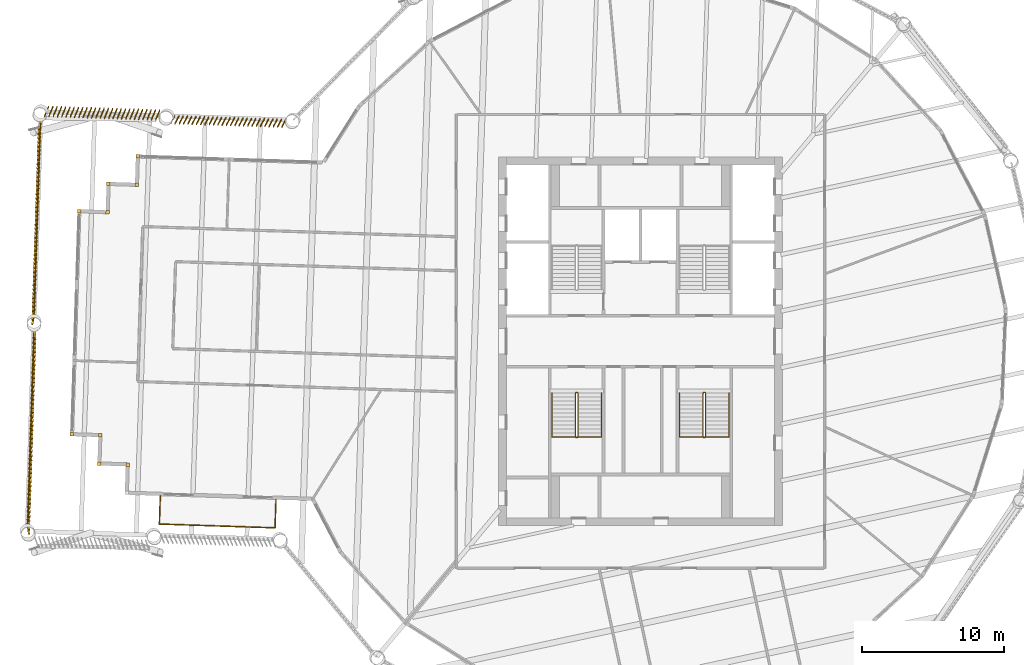
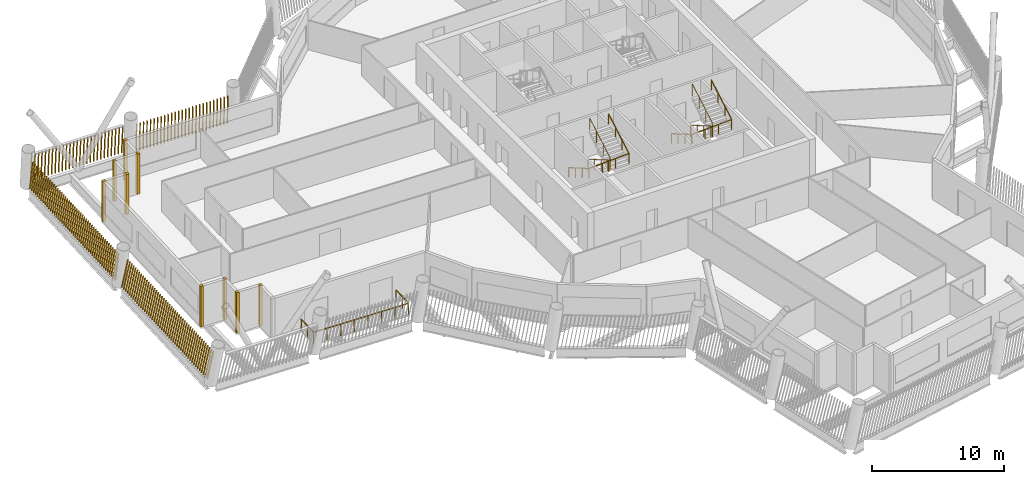
# One storey, part 18 of 21: 13 shading devices, 5 railings.
"""IFC4 building model written with IfcOpenShell, lengths in metres."""

from ifc_helpers import new_model, si_unit, direction, frame, frame_2d, origin, origin_2d, place, context, subcontext, project, spatial, rectangle, circle, composite_profile, extrude, material, type_object, element, save


model = new_model("IFC4")

# Units and contexts
model_context = context("Model", 3, precision=1e-05, world=origin(), true_north=direction((0.0, 1.0)))
body_context = subcontext(model_context, "Body", "Model", "MODEL_VIEW")
ifc_project = project(units=[si_unit("LENGTHUNIT", "METRE"), si_unit("AREAUNIT", "SQUARE_METRE"), si_unit("VOLUMEUNIT", "CUBIC_METRE"), si_unit("PLANEANGLEUNIT", "RADIAN"), si_unit("MASSUNIT", "GRAM", prefix="KILO")], contexts=[model_context])

# Site, building, storey
site_placement = place(None, origin())
site = spatial("IfcSite", under=ifc_project, at=site_placement, CompositionType="ELEMENT")
building_placement = place(site_placement, origin())
building = spatial("IfcBuilding", under=site, at=building_placement, Name="Tarsis Ring Headquarters", CompositionType="ELEMENT")
storey_placement = place(building_placement, frame((0.0, 0.0, 278.60009765625)))
storey = spatial("IfcBuildingStorey", under=building, at=storey_placement, Name="L65", CompositionType="ELEMENT", Elevation=278.60009765625)

# Railings
ifc_material_1 = material(Name="Stainless steel guard", Category="steel")
railing_type_1 = type_object("IfcRailingType", Name="Balcony balustrade with mesh infill 1100", PredefinedType="BALUSTRADE", material=ifc_material_1)
railing_1_placement = place(storey_placement, frame((-33.875732421875, -10.89453125, 0.0)))
element("IfcRailing", 1, at=railing_1_placement, inside=storey, type_object=railing_type_1, Name="Balcony balustrade L65-01", PredefinedType="BALUSTRADE", context=body_context, shape_type="SweptSolid", body=[
    extrude(circle(Radius=0.030029296875, at=origin_2d()), frame((0.0, 0.0, 1.070068359375), z_axis=(-0.032713307292, -0.999464776531, 0.0), x_axis=(0.999464776531, -0.032713307292, 0.0)), (0.0, 0.0, 1.0), 2.0),
    extrude(circle(Radius=0.030029296875, at=origin_2d()), frame((-0.0654296875, -1.9990234375, 1.070068359375), z_axis=(0.999461819601, -0.032803523582, 0.0), x_axis=(0.032803523582, 0.999461819601, 0.0)), (0.0, 0.0, 1.0), 8.171875),
    extrude(circle(Radius=0.030029296875, at=origin_2d()), frame((8.10205078125, -2.26708984375, 1.070068359375), z_axis=(0.032835240512, 0.99946077811, 0.0), x_axis=(-0.99946077811, 0.032835240512, 0.0)), (0.0, 0.0, 1.0), 2.0),
    extrude(circle(Radius=0.02490234375, at=origin_2d()), origin(), (0.0, 0.0, 1.0), 1.0400390625),
    extrude(circle(Radius=0.02490234375, at=origin_2d()), frame((-0.03271484375, -0.99951171875, 0.0)), (0.0, 0.0, 1.0), 1.0400390625),
    extrude(circle(Radius=0.02490234375, at=origin_2d()), frame((-0.0654296875, -1.9990234375, 0.0)), (0.0, 0.0, 1.0), 1.0400390625),
    extrude(circle(Radius=0.02490234375, at=origin_2d()), frame((1.101318359375, -2.037353515625, 0.0)), (0.0, 0.0, 1.0), 1.0400390625),
    extrude(circle(Radius=0.02490234375, at=origin_2d()), frame((2.26806640625, -2.07568359375, 0.0)), (0.0, 0.0, 1.0), 1.0400390625),
    extrude(circle(Radius=0.02490234375, at=origin_2d()), frame((3.434814453125, -2.114013671875, 0.0)), (0.0, 0.0, 1.0), 1.0400390625),
    extrude(circle(Radius=0.02490234375, at=origin_2d()), frame((4.601806640625, -2.152099609375, 0.0)), (0.0, 0.0, 1.0), 1.0400390625),
    extrude(circle(Radius=0.02490234375, at=origin_2d()), frame((5.7685546875, -2.1904296875, 0.0)), (0.0, 0.0, 1.0), 1.0400390625),
    extrude(circle(Radius=0.02490234375, at=origin_2d()), frame((6.935302734375, -2.228759765625, 0.0)), (0.0, 0.0, 1.0), 1.0400390625),
    extrude(circle(Radius=0.02490234375, at=origin_2d()), frame((8.10205078125, -2.26708984375, 0.0)), (0.0, 0.0, 1.0), 1.0400390625),
    extrude(circle(Radius=0.02490234375, at=origin_2d()), frame((8.134765625, -1.267578125, 0.0)), (0.0, 0.0, 1.0), 1.0400390625),
    extrude(circle(Radius=0.02490234375, at=origin_2d()), frame((8.167724609375, -0.26806640625, 0.0)), (0.0, 0.0, 1.0), 1.0400390625),
])
ifc_material_2 = material(Name="Steel S355", Category="steel")
railing_type_2 = type_object("IfcRailingType", Name="Core stair guard 1100", PredefinedType="GUARDRAIL", material=ifc_material_2)
railing_2_placement = place(storey_placement, frame((-4.4599609375, -3.610107421875, 0.0)))
element("IfcRailing", 2, at=railing_2_placement, inside=storey, type_object=railing_type_2, Name="L65 ST3 stair guard 1", PredefinedType="GUARDRAIL", context=body_context, shape_type="SweptSolid", body=[
    extrude(circle(Radius=0.02392578125, at=origin_2d()), frame((0.0, 0.0, 1.076171875), z_axis=(-1.0, 0.0, 0.0), x_axis=(0.0, -1.0, 0.0)), (0.0, 0.0, 1.0), 0.080078125),
    extrude(circle(Radius=0.02392578125, at=origin_2d()), frame((-0.080078125, 0.0, 1.076171875), z_axis=(-0.282693820306, -0.281314826061, 0.917031173188), x_axis=(0.705375805398, -0.708833529934, 0.0)), (0.0, 0.0, 1.0), 0.177001953125),
    extrude(circle(Radius=0.02392578125, at=origin_2d()), frame((-0.130126953125, -0.0498046875, 1.23828125), z_axis=(0.0, -0.864890721111, 0.501960198159), x_axis=(1.0, 0.0, 0.0)), (0.0, 0.0, 1.0), 3.561279296875),
    extrude(circle(Radius=0.02392578125, at=origin_2d()), frame((-0.130126953125, -3.1298828125, 3.02587890625), z_axis=(0.707106781187, -0.707106781187, 0.0), x_axis=(0.707106781187, 0.707106781187, 0.0)), (0.0, 0.0, 1.0), 0.07080078125),
    extrude(circle(Radius=0.02392578125, at=origin_2d()), frame((-0.080078125, -3.179931640625, 3.02587890625), z_axis=(1.0, 0.0, 0.0), x_axis=(0.0, 1.0, 0.0)), (0.0, 0.0, 1.0), 0.080078125),
    extrude(circle(Radius=0.02392578125, at=origin_2d()), frame((0.0, -3.179931640625, 3.02587890625), z_axis=(0.282583949758, 0.282583949758, 0.916674763849), x_axis=(-0.707106781187, 0.707106781187, 0.0)), (0.0, 0.0, 1.0), 0.177001953125),
    extrude(circle(Radius=0.02392578125, at=origin_2d()), frame((0.050048828125, -3.1298828125, 3.1884765625), z_axis=(0.0, 0.864890721111, 0.501960198159), x_axis=(-1.0, 0.0, 0.0)), (0.0, 0.0, 1.0), 3.561279296875),
    extrude(circle(Radius=0.02099609375, at=origin_2d()), origin(), (0.0, 0.0, 1.0), 1.052001953125),
    extrude(circle(Radius=0.02099609375, at=origin_2d()), frame((-0.080078125, 0.0, 0.0)), (0.0, 0.0, 1.0), 1.052001953125),
    extrude(circle(Radius=0.02099609375, at=origin_2d()), frame((-0.130126953125, -0.0498046875, 0.162353515625)), (0.0, 0.0, 1.0), 1.052001953125),
    extrude(circle(Radius=0.02099609375, at=origin_2d()), frame((-0.130126953125, -1.076416015625, 0.75830078125)), (0.0, 0.0, 1.0), 1.052001953125),
    extrude(circle(Radius=0.02099609375, at=origin_2d()), frame((-0.130126953125, -2.103271484375, 1.35400390625)), (0.0, 0.0, 1.0), 1.052001953125),
    extrude(circle(Radius=0.02099609375, at=origin_2d()), frame((-0.130126953125, -3.1298828125, 1.949951171875)), (0.0, 0.0, 1.0), 1.052001953125),
    extrude(circle(Radius=0.02099609375, at=origin_2d()), frame((-0.080078125, -3.179931640625, 1.949951171875)), (0.0, 0.0, 1.0), 1.052001953125),
    extrude(circle(Radius=0.02099609375, at=origin_2d()), frame((0.0, -3.179931640625, 1.949951171875)), (0.0, 0.0, 1.0), 1.052001953125),
    extrude(circle(Radius=0.02099609375, at=origin_2d()), frame((0.050048828125, -3.1298828125, 2.1123046875)), (0.0, 0.0, 1.0), 1.052001953125),
    extrude(circle(Radius=0.02099609375, at=origin_2d()), frame((0.050048828125, -2.103271484375, 2.708251953125)), (0.0, 0.0, 1.0), 1.052001953125),
    extrude(circle(Radius=0.02099609375, at=origin_2d()), frame((0.050048828125, -1.076416015625, 3.303955078125)), (0.0, 0.0, 1.0), 1.052001953125),
    extrude(circle(Radius=0.02099609375, at=origin_2d()), frame((0.050048828125, -0.0498046875, 3.89990234375)), (0.0, 0.0, 1.0), 1.052001953125),
])
railing_3_placement = place(storey_placement, frame((4.5400390625, -3.610107421875, 0.0)))
element("IfcRailing", 3, at=railing_3_placement, inside=storey, type_object=railing_type_2, Name="L65 ST4 stair guard 1", PredefinedType="GUARDRAIL", context=body_context, shape_type="SweptSolid", body=[
    extrude(circle(Radius=0.02392578125, at=origin_2d()), frame((0.0, 0.0, 1.076171875), z_axis=(-1.0, 0.0, 0.0), x_axis=(0.0, -1.0, 0.0)), (0.0, 0.0, 1.0), 0.080078125),
    extrude(circle(Radius=0.02392578125, at=origin_2d()), frame((-0.080078125, 0.0, 1.076171875), z_axis=(-0.282693820306, -0.281314826061, 0.917031173188), x_axis=(0.705375805398, -0.708833529934, 0.0)), (0.0, 0.0, 1.0), 0.177001953125),
    extrude(circle(Radius=0.02392578125, at=origin_2d()), frame((-0.130126953125, -0.0498046875, 1.23828125), z_axis=(0.0, -0.864890721111, 0.501960198159), x_axis=(1.0, 0.0, 0.0)), (0.0, 0.0, 1.0), 3.561279296875),
    extrude(circle(Radius=0.02392578125, at=origin_2d()), frame((-0.130126953125, -3.1298828125, 3.02587890625), z_axis=(0.707106781187, -0.707106781187, 0.0), x_axis=(0.707106781187, 0.707106781187, 0.0)), (0.0, 0.0, 1.0), 0.07080078125),
    extrude(circle(Radius=0.02392578125, at=origin_2d()), frame((-0.080078125, -3.179931640625, 3.02587890625), z_axis=(1.0, 0.0, 0.0), x_axis=(0.0, 1.0, 0.0)), (0.0, 0.0, 1.0), 0.080078125),
    extrude(circle(Radius=0.02392578125, at=origin_2d()), frame((0.0, -3.179931640625, 3.02587890625), z_axis=(0.282583949758, 0.282583949758, 0.916674763849), x_axis=(-0.707106781187, 0.707106781187, 0.0)), (0.0, 0.0, 1.0), 0.177001953125),
    extrude(circle(Radius=0.02392578125, at=origin_2d()), frame((0.050048828125, -3.1298828125, 3.1884765625), z_axis=(0.0, 0.864890721111, 0.501960198159), x_axis=(-1.0, 0.0, 0.0)), (0.0, 0.0, 1.0), 3.561279296875),
    extrude(circle(Radius=0.02099609375, at=origin_2d()), origin(), (0.0, 0.0, 1.0), 1.052001953125),
    extrude(circle(Radius=0.02099609375, at=origin_2d()), frame((-0.080078125, 0.0, 0.0)), (0.0, 0.0, 1.0), 1.052001953125),
    extrude(circle(Radius=0.02099609375, at=origin_2d()), frame((-0.130126953125, -0.0498046875, 0.162353515625)), (0.0, 0.0, 1.0), 1.052001953125),
    extrude(circle(Radius=0.02099609375, at=origin_2d()), frame((-0.130126953125, -1.076416015625, 0.75830078125)), (0.0, 0.0, 1.0), 1.052001953125),
    extrude(circle(Radius=0.02099609375, at=origin_2d()), frame((-0.130126953125, -2.103271484375, 1.35400390625)), (0.0, 0.0, 1.0), 1.052001953125),
    extrude(circle(Radius=0.02099609375, at=origin_2d()), frame((-0.130126953125, -3.1298828125, 1.949951171875)), (0.0, 0.0, 1.0), 1.052001953125),
    extrude(circle(Radius=0.02099609375, at=origin_2d()), frame((-0.080078125, -3.179931640625, 1.949951171875)), (0.0, 0.0, 1.0), 1.052001953125),
    extrude(circle(Radius=0.02099609375, at=origin_2d()), frame((0.0, -3.179931640625, 1.949951171875)), (0.0, 0.0, 1.0), 1.052001953125),
    extrude(circle(Radius=0.02099609375, at=origin_2d()), frame((0.050048828125, -3.1298828125, 2.1123046875)), (0.0, 0.0, 1.0), 1.052001953125),
    extrude(circle(Radius=0.02099609375, at=origin_2d()), frame((0.050048828125, -2.103271484375, 2.708251953125)), (0.0, 0.0, 1.0), 1.052001953125),
    extrude(circle(Radius=0.02099609375, at=origin_2d()), frame((0.050048828125, -1.076416015625, 3.303955078125)), (0.0, 0.0, 1.0), 1.052001953125),
    extrude(circle(Radius=0.02099609375, at=origin_2d()), frame((0.050048828125, -0.0498046875, 3.89990234375)), (0.0, 0.0, 1.0), 1.052001953125),
])
railing_type_3 = type_object("IfcRailingType", Name="Core stair handrail 900", PredefinedType="HANDRAIL", material=ifc_material_2)
railing_4_placement = place(storey_placement, frame((-6.25, -3.659912109375, 0.162353515625)))
element("IfcRailing", 4, at=railing_4_placement, inside=storey, type_object=railing_type_3, Name="L65 ST3 stair handrail 1", PredefinedType="HANDRAIL", context=body_context, shape_type="SweptSolid", body=[
    extrude(circle(Radius=0.02392578125, at=origin_2d()), frame((0.0, 0.0, 0.8759765625), z_axis=(0.0, -0.864890721111, 0.501960198159), x_axis=(1.0, 0.0, 0.0)), (0.0, 0.0, 1.0), 3.561279296875),
    extrude(circle(Radius=0.02392578125, at=origin_2d()), frame((0.0, -3.080078125, 2.66357421875), z_axis=(0.998925869279, 0.0, 0.04633689335), x_axis=(0.0, 1.0, 0.0)), (0.0, 0.0, 1.0), 3.503662109375),
    extrude(circle(Radius=0.02392578125, at=origin_2d()), frame((3.5, -3.080078125, 2.82568359375), z_axis=(0.0, 0.864890721111, 0.501960198159), x_axis=(-1.0, 0.0, 0.0)), (0.0, 0.0, 1.0), 3.561279296875),
    extrude(circle(Radius=0.02099609375, at=origin_2d()), origin(), (0.0, 0.0, 1.0), 0.851806640625),
    extrude(circle(Radius=0.02099609375, at=origin_2d()), frame((0.0, -1.026611328125, 0.595947265625)), (0.0, 0.0, 1.0), 0.851806640625),
    extrude(circle(Radius=0.02099609375, at=origin_2d()), frame((0.0, -2.053466796875, 1.191650390625)), (0.0, 0.0, 1.0), 0.851806640625),
    extrude(circle(Radius=0.02099609375, at=origin_2d()), frame((0.0, -3.080078125, 1.78759765625)), (0.0, 0.0, 1.0), 0.851806640625),
    extrude(circle(Radius=0.02099609375, at=origin_2d()), frame((1.166748046875, -3.080078125, 1.841796875)), (0.0, 0.0, 1.0), 0.851806640625),
    extrude(circle(Radius=0.02099609375, at=origin_2d()), frame((2.333251953125, -3.080078125, 1.895751953125)), (0.0, 0.0, 1.0), 0.851806640625),
    extrude(circle(Radius=0.02099609375, at=origin_2d()), frame((3.5, -3.080078125, 1.949951171875)), (0.0, 0.0, 1.0), 0.851806640625),
    extrude(circle(Radius=0.02099609375, at=origin_2d()), frame((3.5, -2.053466796875, 2.5458984375)), (0.0, 0.0, 1.0), 0.851806640625),
    extrude(circle(Radius=0.02099609375, at=origin_2d()), frame((3.5, -1.026611328125, 3.1416015625)), (0.0, 0.0, 1.0), 0.851806640625),
    extrude(circle(Radius=0.02099609375, at=origin_2d()), frame((3.5, 0.0, 3.737548828125)), (0.0, 0.0, 1.0), 0.851806640625),
])
railing_5_placement = place(storey_placement, frame((2.75, -3.659912109375, 0.162353515625)))
element("IfcRailing", 5, at=railing_5_placement, inside=storey, type_object=railing_type_3, Name="L65 ST4 stair handrail 1", PredefinedType="HANDRAIL", context=body_context, shape_type="SweptSolid", body=[
    extrude(circle(Radius=0.02392578125, at=origin_2d()), frame((0.0, 0.0, 0.8759765625), z_axis=(0.0, -0.864890721111, 0.501960198159), x_axis=(1.0, 0.0, 0.0)), (0.0, 0.0, 1.0), 3.561279296875),
    extrude(circle(Radius=0.02392578125, at=origin_2d()), frame((0.0, -3.080078125, 2.66357421875), z_axis=(0.998925869279, 0.0, 0.04633689335), x_axis=(0.0, 1.0, 0.0)), (0.0, 0.0, 1.0), 3.503662109375),
    extrude(circle(Radius=0.02392578125, at=origin_2d()), frame((3.5, -3.080078125, 2.82568359375), z_axis=(0.0, 0.864890721111, 0.501960198159), x_axis=(-1.0, 0.0, 0.0)), (0.0, 0.0, 1.0), 3.561279296875),
    extrude(circle(Radius=0.02099609375, at=origin_2d()), origin(), (0.0, 0.0, 1.0), 0.851806640625),
    extrude(circle(Radius=0.02099609375, at=origin_2d()), frame((0.0, -1.026611328125, 0.595947265625)), (0.0, 0.0, 1.0), 0.851806640625),
    extrude(circle(Radius=0.02099609375, at=origin_2d()), frame((0.0, -2.053466796875, 1.191650390625)), (0.0, 0.0, 1.0), 0.851806640625),
    extrude(circle(Radius=0.02099609375, at=origin_2d()), frame((0.0, -3.080078125, 1.78759765625)), (0.0, 0.0, 1.0), 0.851806640625),
    extrude(circle(Radius=0.02099609375, at=origin_2d()), frame((1.166748046875, -3.080078125, 1.841796875)), (0.0, 0.0, 1.0), 0.851806640625),
    extrude(circle(Radius=0.02099609375, at=origin_2d()), frame((2.333251953125, -3.080078125, 1.895751953125)), (0.0, 0.0, 1.0), 0.851806640625),
    extrude(circle(Radius=0.02099609375, at=origin_2d()), frame((3.5, -3.080078125, 1.949951171875)), (0.0, 0.0, 1.0), 0.851806640625),
    extrude(circle(Radius=0.02099609375, at=origin_2d()), frame((3.5, -2.053466796875, 2.5458984375)), (0.0, 0.0, 1.0), 0.851806640625),
    extrude(circle(Radius=0.02099609375, at=origin_2d()), frame((3.5, -1.026611328125, 3.1416015625)), (0.0, 0.0, 1.0), 0.851806640625),
    extrude(circle(Radius=0.02099609375, at=origin_2d()), frame((3.5, 0.0, 3.737548828125)), (0.0, 0.0, 1.0), 0.851806640625),
])

# Shading devices
ifc_material_3 = material(Name="Terracotta baguette", Category="masonry")
shading_device_type_1 = type_object("IfcShadingDeviceType", Name="Terracotta baguette screen", PredefinedType="USERDEFINED", material=ifc_material_3)
shading_device_1_placement = place(storey_placement, frame((-24.996337890625, 15.62841796875, 0.0), z_axis=(0.0, 0.0, 1.0), x_axis=(-0.999474773689, 0.032811196589, 0.0)))
element("IfcShadingDevice", 6, at=shading_device_1_placement, inside=storey, type_object=shading_device_type_1, Name="Baguette screen L65-15", ObjectType="Terracotta baguette screen", PredefinedType="USERDEFINED", context=body_context, shape_type="SweptSolid", body=[
    extrude(composite_profile([rectangle(XDim=0.06005859375, YDim=0.1201171875, at=frame_2d((0.030029296875, 0.0))), rectangle(XDim=0.06005859375, YDim=0.1201171875, at=frame_2d((0.33154296875, 0.0))), rectangle(XDim=0.06005859375, YDim=0.1201171875, at=frame_2d((0.63330078125, 0.0))), rectangle(XDim=0.06005859375, YDim=0.1201171875, at=frame_2d((0.934814453125, 0.0))), rectangle(XDim=0.06005859375, YDim=0.1201171875, at=frame_2d((1.236572265625, 0.0))), rectangle(XDim=0.06005859375, YDim=0.1201171875, at=frame_2d((1.5380859375, 0.0))), rectangle(XDim=0.06005859375, YDim=0.1201171875, at=frame_2d((1.83984375, 0.0))), rectangle(XDim=0.06005859375, YDim=0.1201171875, at=frame_2d((2.141357421875, 0.0))), rectangle(XDim=0.06005859375, YDim=0.1201171875, at=frame_2d((2.443115234375, 0.0))), rectangle(XDim=0.06005859375, YDim=0.1201171875, at=frame_2d((2.74462890625, 0.0))), rectangle(XDim=0.06005859375, YDim=0.1201171875, at=frame_2d((3.04638671875, 0.0))), rectangle(XDim=0.06005859375, YDim=0.1201171875, at=frame_2d((3.347900390625, 0.0))), rectangle(XDim=0.06005859375, YDim=0.1201171875, at=frame_2d((3.649658203125, 0.0))), rectangle(XDim=0.06005859375, YDim=0.1201171875, at=frame_2d((3.951171875, 0.0))), rectangle(XDim=0.06005859375, YDim=0.1201171875, at=frame_2d((4.252685546875, 0.0))), rectangle(XDim=0.06005859375, YDim=0.1201171875, at=frame_2d((4.554443359375, 0.0))), rectangle(XDim=0.06005859375, YDim=0.1201171875, at=frame_2d((4.85595703125, 0.0))), rectangle(XDim=0.06005859375, YDim=0.1201171875, at=frame_2d((5.15771484375, 0.0))), rectangle(XDim=0.06005859375, YDim=0.1201171875, at=frame_2d((5.459228515625, 0.0))), rectangle(XDim=0.06005859375, YDim=0.1201171875, at=frame_2d((5.760986328125, 0.0))), rectangle(XDim=0.06005859375, YDim=0.1201171875, at=frame_2d((6.0625, 0.0))), rectangle(XDim=0.06005859375, YDim=0.1201171875, at=frame_2d((6.3642578125, 0.0))), rectangle(XDim=0.06005859375, YDim=0.1201171875, at=frame_2d((6.665771484375, 0.0))), rectangle(XDim=0.06005859375, YDim=0.1201171875, at=frame_2d((6.967529296875, 0.0))), rectangle(XDim=0.06005859375, YDim=0.1201171875, at=frame_2d((7.26904296875, 0.0))), rectangle(XDim=0.06005859375, YDim=0.1201171875, at=frame_2d((7.57080078125, 0.0))), rectangle(XDim=0.06005859375, YDim=0.1201171875, at=frame_2d((7.872314453125, 0.0)))]), origin(), (0.083960292748, 0.170749631956, 0.981730733159), 3.02294921875),
])
shading_device_2_placement = place(storey_placement, frame((-33.88134765625, 16.29541015625, 0.0), z_axis=(0.0, 0.0, 1.0), x_axis=(-0.999474773689, 0.032780300924, 0.0)))
element("IfcShadingDevice", 7, at=shading_device_2_placement, inside=storey, type_object=shading_device_type_1, Name="Baguette screen L65-16", ObjectType="Terracotta baguette screen", PredefinedType="USERDEFINED", context=body_context, shape_type="SweptSolid", body=[
    extrude(composite_profile([rectangle(XDim=0.06005859375, YDim=0.1201171875, at=frame_2d((0.030029296875, 0.0))), rectangle(XDim=0.06005859375, YDim=0.1201171875, at=frame_2d((0.33154296875, 0.0))), rectangle(XDim=0.06005859375, YDim=0.1201171875, at=frame_2d((0.63330078125, 0.0))), rectangle(XDim=0.06005859375, YDim=0.1201171875, at=frame_2d((0.934814453125, 0.0))), rectangle(XDim=0.06005859375, YDim=0.1201171875, at=frame_2d((1.236572265625, 0.0))), rectangle(XDim=0.06005859375, YDim=0.1201171875, at=frame_2d((1.5380859375, 0.0))), rectangle(XDim=0.06005859375, YDim=0.1201171875, at=frame_2d((1.83984375, 0.0))), rectangle(XDim=0.06005859375, YDim=0.1201171875, at=frame_2d((2.141357421875, 0.0))), rectangle(XDim=0.06005859375, YDim=0.1201171875, at=frame_2d((2.443115234375, 0.0))), rectangle(XDim=0.06005859375, YDim=0.1201171875, at=frame_2d((2.74462890625, 0.0))), rectangle(XDim=0.06005859375, YDim=0.1201171875, at=frame_2d((3.04638671875, 0.0))), rectangle(XDim=0.06005859375, YDim=0.1201171875, at=frame_2d((3.347900390625, 0.0))), rectangle(XDim=0.06005859375, YDim=0.1201171875, at=frame_2d((3.649658203125, 0.0))), rectangle(XDim=0.06005859375, YDim=0.1201171875, at=frame_2d((3.951171875, 0.0))), rectangle(XDim=0.06005859375, YDim=0.1201171875, at=frame_2d((4.252685546875, 0.0))), rectangle(XDim=0.06005859375, YDim=0.1201171875, at=frame_2d((4.554443359375, 0.0))), rectangle(XDim=0.06005859375, YDim=0.1201171875, at=frame_2d((4.85595703125, 0.0))), rectangle(XDim=0.06005859375, YDim=0.1201171875, at=frame_2d((5.15771484375, 0.0))), rectangle(XDim=0.06005859375, YDim=0.1201171875, at=frame_2d((5.459228515625, 0.0))), rectangle(XDim=0.06005859375, YDim=0.1201171875, at=frame_2d((5.760986328125, 0.0))), rectangle(XDim=0.06005859375, YDim=0.1201171875, at=frame_2d((6.0625, 0.0))), rectangle(XDim=0.06005859375, YDim=0.1201171875, at=frame_2d((6.3642578125, 0.0))), rectangle(XDim=0.06005859375, YDim=0.1201171875, at=frame_2d((6.665771484375, 0.0))), rectangle(XDim=0.06005859375, YDim=0.1201171875, at=frame_2d((6.967529296875, 0.0))), rectangle(XDim=0.06005859375, YDim=0.1201171875, at=frame_2d((7.26904296875, 0.0))), rectangle(XDim=0.06005859375, YDim=0.1201171875, at=frame_2d((7.57080078125, 0.0))), rectangle(XDim=0.06005859375, YDim=0.1201171875, at=frame_2d((7.872314453125, 0.0)))]), origin(), (0.084818687343, 0.219918984118, 0.971823765249), 3.0537109375),
])
shading_device_3_placement = place(storey_placement, frame((-42.307861328125, 15.696533203125, 0.0), z_axis=(0.0, 0.0, 1.0), x_axis=(-0.032799646174, -0.999469261389, 0.0)))
element("IfcShadingDevice", 8, at=shading_device_3_placement, inside=storey, type_object=shading_device_type_1, Name="Baguette screen L65-17", ObjectType="Terracotta baguette screen", PredefinedType="USERDEFINED", context=body_context, shape_type="SweptSolid", body=[
    extrude(composite_profile([rectangle(XDim=0.06005859375, YDim=0.1201171875, at=frame_2d((0.030029296875, 0.0))), rectangle(XDim=0.06005859375, YDim=0.1201171875, at=frame_2d((0.33544921875, 0.0))), rectangle(XDim=0.06005859375, YDim=0.1201171875, at=frame_2d((0.640625, 0.0))), rectangle(XDim=0.06005859375, YDim=0.1201171875, at=frame_2d((0.946044921875, 0.0))), rectangle(XDim=0.06005859375, YDim=0.1201171875, at=frame_2d((1.25146484375, 0.0))), rectangle(XDim=0.06005859375, YDim=0.1201171875, at=frame_2d((1.556640625, 0.0))), rectangle(XDim=0.06005859375, YDim=0.1201171875, at=frame_2d((1.862060546875, 0.0))), rectangle(XDim=0.06005859375, YDim=0.1201171875, at=frame_2d((2.16748046875, 0.0))), rectangle(XDim=0.06005859375, YDim=0.1201171875, at=frame_2d((2.47265625, 0.0))), rectangle(XDim=0.06005859375, YDim=0.1201171875, at=frame_2d((2.778076171875, 0.0))), rectangle(XDim=0.06005859375, YDim=0.1201171875, at=frame_2d((3.08349609375, 0.0))), rectangle(XDim=0.06005859375, YDim=0.1201171875, at=frame_2d((3.388671875, 0.0))), rectangle(XDim=0.06005859375, YDim=0.1201171875, at=frame_2d((3.694091796875, 0.0))), rectangle(XDim=0.06005859375, YDim=0.1201171875, at=frame_2d((3.99951171875, 0.0))), rectangle(XDim=0.06005859375, YDim=0.1201171875, at=frame_2d((4.3046875, 0.0))), rectangle(XDim=0.06005859375, YDim=0.1201171875, at=frame_2d((4.610107421875, 0.0))), rectangle(XDim=0.06005859375, YDim=0.1201171875, at=frame_2d((4.91552734375, 0.0))), rectangle(XDim=0.06005859375, YDim=0.1201171875, at=frame_2d((5.220703125, 0.0))), rectangle(XDim=0.06005859375, YDim=0.1201171875, at=frame_2d((5.526123046875, 0.0))), rectangle(XDim=0.06005859375, YDim=0.1201171875, at=frame_2d((5.83154296875, 0.0))), rectangle(XDim=0.06005859375, YDim=0.1201171875, at=frame_2d((6.13671875, 0.0))), rectangle(XDim=0.06005859375, YDim=0.1201171875, at=frame_2d((6.442138671875, 0.0))), rectangle(XDim=0.06005859375, YDim=0.1201171875, at=frame_2d((6.74755859375, 0.0))), rectangle(XDim=0.06005859375, YDim=0.1201171875, at=frame_2d((7.052734375, 0.0))), rectangle(XDim=0.06005859375, YDim=0.1201171875, at=frame_2d((7.358154296875, 0.0))), rectangle(XDim=0.06005859375, YDim=0.1201171875, at=frame_2d((7.66357421875, 0.0))), rectangle(XDim=0.06005859375, YDim=0.1201171875, at=frame_2d((7.96875, 0.0))), rectangle(XDim=0.06005859375, YDim=0.1201171875, at=frame_2d((8.274169921875, 0.0))), rectangle(XDim=0.06005859375, YDim=0.1201171875, at=frame_2d((8.57958984375, 0.0))), rectangle(XDim=0.06005859375, YDim=0.1201171875, at=frame_2d((8.884765625, 0.0))), rectangle(XDim=0.06005859375, YDim=0.1201171875, at=frame_2d((9.190185546875, 0.0))), rectangle(XDim=0.06005859375, YDim=0.1201171875, at=frame_2d((9.49560546875, 0.0))), rectangle(XDim=0.06005859375, YDim=0.1201171875, at=frame_2d((9.80078125, 0.0))), rectangle(XDim=0.06005859375, YDim=0.1201171875, at=frame_2d((10.106201171875, 0.0))), rectangle(XDim=0.06005859375, YDim=0.1201171875, at=frame_2d((10.41162109375, 0.0))), rectangle(XDim=0.06005859375, YDim=0.1201171875, at=frame_2d((10.716796875, 0.0))), rectangle(XDim=0.06005859375, YDim=0.1201171875, at=frame_2d((11.022216796875, 0.0))), rectangle(XDim=0.06005859375, YDim=0.1201171875, at=frame_2d((11.32763671875, 0.0))), rectangle(XDim=0.06005859375, YDim=0.1201171875, at=frame_2d((11.6328125, 0.0))), rectangle(XDim=0.06005859375, YDim=0.1201171875, at=frame_2d((11.938232421875, 0.0))), rectangle(XDim=0.06005859375, YDim=0.1201171875, at=frame_2d((12.24365234375, 0.0))), rectangle(XDim=0.06005859375, YDim=0.1201171875, at=frame_2d((12.548828125, 0.0))), rectangle(XDim=0.06005859375, YDim=0.1201171875, at=frame_2d((12.854248046875, 0.0))), rectangle(XDim=0.06005859375, YDim=0.1201171875, at=frame_2d((13.15966796875, 0.0))), rectangle(XDim=0.06005859375, YDim=0.1201171875, at=frame_2d((13.46484375, 0.0))), rectangle(XDim=0.06005859375, YDim=0.1201171875, at=frame_2d((13.770263671875, 0.0)))]), origin(), (0.244230678701, -0.040036706071, 0.968890312547), 3.06298828125),
])
shading_device_4_placement = place(storey_placement, frame((-42.79345703125, 0.904296875, 0.0), z_axis=(0.0, 0.0, 1.0), x_axis=(-0.032800226452, -0.999469251999, 0.0)))
element("IfcShadingDevice", 9, at=shading_device_4_placement, inside=storey, type_object=shading_device_type_1, Name="Baguette screen L65-18", ObjectType="Terracotta baguette screen", PredefinedType="USERDEFINED", context=body_context, shape_type="SweptSolid", body=[
    extrude(composite_profile([rectangle(XDim=0.06005859375, YDim=0.1201171875, at=frame_2d((0.030029296875, 0.0))), rectangle(XDim=0.06005859375, YDim=0.1201171875, at=frame_2d((0.33544921875, 0.0))), rectangle(XDim=0.06005859375, YDim=0.1201171875, at=frame_2d((0.640625, 0.0))), rectangle(XDim=0.06005859375, YDim=0.1201171875, at=frame_2d((0.946044921875, 0.0))), rectangle(XDim=0.06005859375, YDim=0.1201171875, at=frame_2d((1.25146484375, 0.0))), rectangle(XDim=0.06005859375, YDim=0.1201171875, at=frame_2d((1.556640625, 0.0))), rectangle(XDim=0.06005859375, YDim=0.1201171875, at=frame_2d((1.862060546875, 0.0))), rectangle(XDim=0.06005859375, YDim=0.1201171875, at=frame_2d((2.16748046875, 0.0))), rectangle(XDim=0.06005859375, YDim=0.1201171875, at=frame_2d((2.47265625, 0.0))), rectangle(XDim=0.06005859375, YDim=0.1201171875, at=frame_2d((2.778076171875, 0.0))), rectangle(XDim=0.06005859375, YDim=0.1201171875, at=frame_2d((3.08349609375, 0.0))), rectangle(XDim=0.06005859375, YDim=0.1201171875, at=frame_2d((3.388671875, 0.0))), rectangle(XDim=0.06005859375, YDim=0.1201171875, at=frame_2d((3.694091796875, 0.0))), rectangle(XDim=0.06005859375, YDim=0.1201171875, at=frame_2d((3.99951171875, 0.0))), rectangle(XDim=0.06005859375, YDim=0.1201171875, at=frame_2d((4.3046875, 0.0))), rectangle(XDim=0.06005859375, YDim=0.1201171875, at=frame_2d((4.610107421875, 0.0))), rectangle(XDim=0.06005859375, YDim=0.1201171875, at=frame_2d((4.91552734375, 0.0))), rectangle(XDim=0.06005859375, YDim=0.1201171875, at=frame_2d((5.220703125, 0.0))), rectangle(XDim=0.06005859375, YDim=0.1201171875, at=frame_2d((5.526123046875, 0.0))), rectangle(XDim=0.06005859375, YDim=0.1201171875, at=frame_2d((5.83154296875, 0.0))), rectangle(XDim=0.06005859375, YDim=0.1201171875, at=frame_2d((6.13671875, 0.0))), rectangle(XDim=0.06005859375, YDim=0.1201171875, at=frame_2d((6.442138671875, 0.0))), rectangle(XDim=0.06005859375, YDim=0.1201171875, at=frame_2d((6.74755859375, 0.0))), rectangle(XDim=0.06005859375, YDim=0.1201171875, at=frame_2d((7.052734375, 0.0))), rectangle(XDim=0.06005859375, YDim=0.1201171875, at=frame_2d((7.358154296875, 0.0))), rectangle(XDim=0.06005859375, YDim=0.1201171875, at=frame_2d((7.66357421875, 0.0))), rectangle(XDim=0.06005859375, YDim=0.1201171875, at=frame_2d((7.96875, 0.0))), rectangle(XDim=0.06005859375, YDim=0.1201171875, at=frame_2d((8.274169921875, 0.0))), rectangle(XDim=0.06005859375, YDim=0.1201171875, at=frame_2d((8.57958984375, 0.0))), rectangle(XDim=0.06005859375, YDim=0.1201171875, at=frame_2d((8.884765625, 0.0))), rectangle(XDim=0.06005859375, YDim=0.1201171875, at=frame_2d((9.190185546875, 0.0))), rectangle(XDim=0.06005859375, YDim=0.1201171875, at=frame_2d((9.49560546875, 0.0))), rectangle(XDim=0.06005859375, YDim=0.1201171875, at=frame_2d((9.80078125, 0.0))), rectangle(XDim=0.06005859375, YDim=0.1201171875, at=frame_2d((10.106201171875, 0.0))), rectangle(XDim=0.06005859375, YDim=0.1201171875, at=frame_2d((10.41162109375, 0.0))), rectangle(XDim=0.06005859375, YDim=0.1201171875, at=frame_2d((10.716796875, 0.0))), rectangle(XDim=0.06005859375, YDim=0.1201171875, at=frame_2d((11.022216796875, 0.0))), rectangle(XDim=0.06005859375, YDim=0.1201171875, at=frame_2d((11.32763671875, 0.0))), rectangle(XDim=0.06005859375, YDim=0.1201171875, at=frame_2d((11.6328125, 0.0))), rectangle(XDim=0.06005859375, YDim=0.1201171875, at=frame_2d((11.938232421875, 0.0))), rectangle(XDim=0.06005859375, YDim=0.1201171875, at=frame_2d((12.24365234375, 0.0))), rectangle(XDim=0.06005859375, YDim=0.1201171875, at=frame_2d((12.548828125, 0.0))), rectangle(XDim=0.06005859375, YDim=0.1201171875, at=frame_2d((12.854248046875, 0.0))), rectangle(XDim=0.06005859375, YDim=0.1201171875, at=frame_2d((13.15966796875, 0.0))), rectangle(XDim=0.06005859375, YDim=0.1201171875, at=frame_2d((13.46484375, 0.0))), rectangle(XDim=0.06005859375, YDim=0.1201171875, at=frame_2d((13.770263671875, 0.0)))]), origin(), (0.243495390091, 0.044289769392, 0.968890298915), 3.06298828125),
])
shading_device_type_2 = type_object("IfcShadingDeviceType", Name="Terracotta corner baguette 250x250", PredefinedType="USERDEFINED", material=ifc_material_3)
for number, where, z_axis, x_axis, name in (
    (10, (-35.466064453125, 13.045654296875, 0.0), (0.0, 0.0, 1.0), (-0.999461727247, 0.032806337324, 0.0), "Corner baguette L65-32"),
    (11, (-35.53173828125, 11.046630859375, 0.0), (0.0, 0.0, 1.0), (-0.032806494319, -0.999461722094, 0.0), "Corner baguette L65-33"),
    (12, (-37.53076171875, 11.1123046875, 0.0), (0.0, 0.0, 1.0), (-0.999461738126, 0.03280600589, 0.0), "Corner baguette L65-34"),
    (13, (-37.59619140625, 9.11328125, 0.0), (0.0, 0.0, 1.0), (-0.03280600589, -0.999461738126, 0.0), "Corner baguette L65-35"),
    (14, (-39.59521484375, 9.178955078125, 0.0), (0.0, 0.0, 1.0), (-0.999461722094, 0.032806494319, 0.0), "Corner baguette L65-36"),
    (15, (-40.11181640625, -6.5625, 0.0), (0.0, 0.0, 1.0), (-0.032806250104, -0.99946173011, 0.0), "Corner baguette L65-37"),
    (16, (-38.113037109375, -6.628173828125, 0.0), (0.0, 0.0, 1.0), (0.999461738126, -0.03280600589, 0.0), "Corner baguette L65-38"),
    (17, (-38.178466796875, -8.627197265625, 0.0), (0.0, 0.0, 1.0), (-0.032806494319, -0.999461722094, 0.0), "Corner baguette L65-39"),
    (18, (-36.1796875, -8.69287109375, 0.0), (0.0, 0.0, 1.0), (0.999461722094, -0.032806494319, 0.0), "Corner baguette L65-40"),
):
    element("IfcShadingDevice", number, at=place(storey_placement, frame(where, z_axis=z_axis, x_axis=x_axis)), inside=storey, type_object=shading_device_type_2, Name=name, ObjectType="Terracotta corner baguette", PredefinedType="USERDEFINED", context=body_context, shape_type="SweptSolid", body=[
        extrude(rectangle(XDim=0.25, YDim=0.25, at=origin_2d()), origin(), (0.0, 0.0, 1.0), 3.739990234375),
    ])

save(model, "model.ifc")
